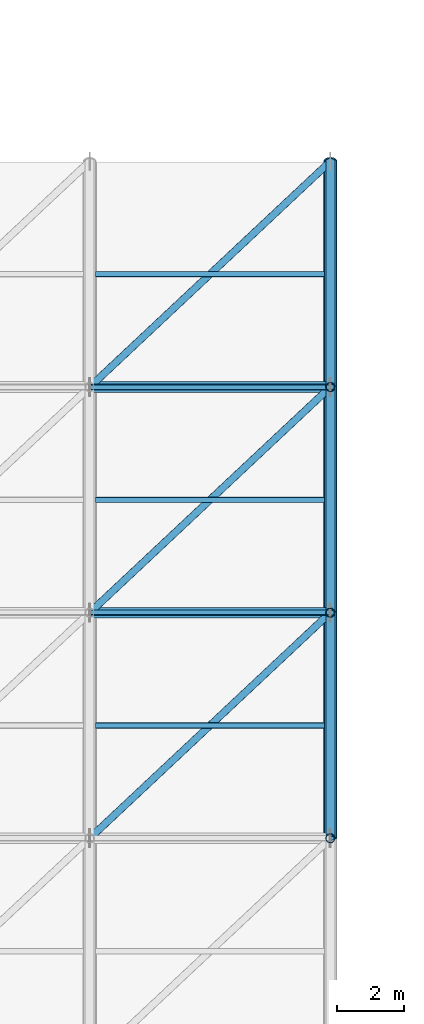
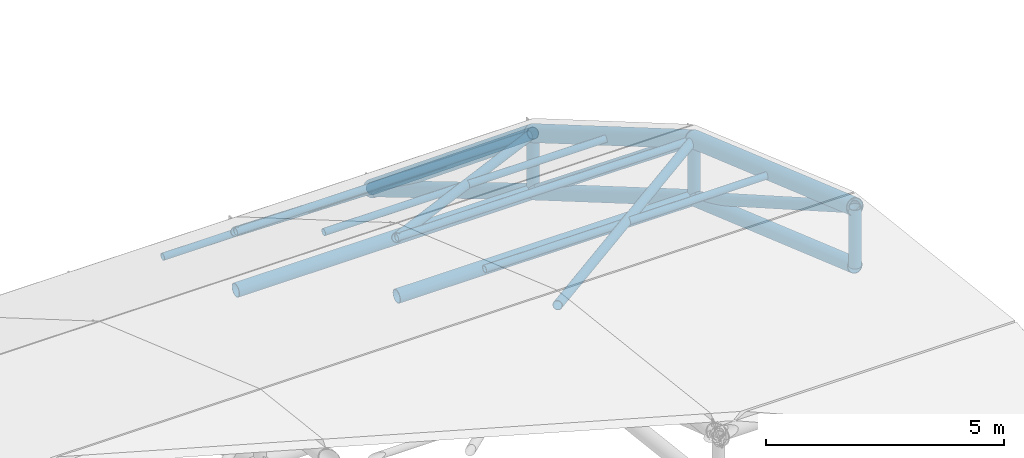
# One storey, part 13 of 72: 19 members, 3 beams.
"""IFC4 building model written with IfcOpenShell, lengths in metres."""

import ifcopenshell
import ifcopenshell.guid

model = None  # the IFC model being written
_history = None  # IfcOwnerHistory: only IFC2X3 demands one
_inside = {}  # id of a spatial element -> (the spatial element, [elements in it])
_under = {}  # id of a project, library or spatial element -> (it, [spatial elements below it])
_declared = {}  # id of a project -> (the project, [libraries it declares])
_typed = {}  # id of a type object -> (the type object, [elements of that type])
_made_of = {}  # id of a material, layer set ... -> (it, [elements and type objects made of it])


def new_model(schema):
    """Start an empty IFC model of exactly this schema.

    Asked for "IFC4X3", IfcOpenShell would pick the latest addendum, in which some entities
    have other attributes; the version numbers below select the first issue.
    IFC2X3 requires an IfcOwnerHistory on every rooted entity: one is made here for all.
    """
    global model, _history
    if schema == "IFC4X3":
        model = ifcopenshell.file(schema_version=(4, 3, 0, 0))
    else:
        model = ifcopenshell.file(schema=schema)
    _inside.clear()
    _under.clear()
    _declared.clear()
    _typed.clear()
    _made_of.clear()
    _history = None
    if model.schema == "IFC2X3":
        org = make("IfcOrganization", Name="unknown")
        user = make(
            "IfcPersonAndOrganization",
            ThePerson=make("IfcPerson", FamilyName="unknown"),
            TheOrganization=org,
        )
        app = make(
            "IfcApplication",
            ApplicationDeveloper=org,
            Version="unknown",
            ApplicationFullName="unknown",
            ApplicationIdentifier="unknown",
        )
        _history = make(
            "IfcOwnerHistory",
            OwningUser=user,
            OwningApplication=app,
            ChangeAction="ADDED",
            CreationDate=0,
        )
    return model


def make(cls, **values):
    """One entity of the class cls with the attributes given. An attribute that is None is left unset."""
    return model.create_entity(
        cls, **{name: value for name, value in values.items() if value is not None}
    )


def rooted(cls, **values):
    """An entity with a GlobalId (a new one), such as an element, a storey or a relation."""
    return make(cls, GlobalId=ifcopenshell.guid.new(), OwnerHistory=_history, **values)


def si_unit(unit_type, name, prefix=None):
    """IfcSIUnit, for example si_unit("LENGTHUNIT", "METRE", prefix="MILLI")."""
    return make("IfcSIUnit", UnitType=unit_type, Prefix=prefix, Name=name)


def assignment(units):
    """IfcUnitAssignment: the units of a project."""
    return None if units is None else make("IfcUnitAssignment", Units=units)


def point(xyz):
    """IfcCartesianPoint."""
    return None if xyz is None else make("IfcCartesianPoint", Coordinates=xyz)


def direction(xyz):
    """IfcDirection."""
    return None if xyz is None else make("IfcDirection", DirectionRatios=xyz)


def frame(location, z_axis=None, x_axis=None):
    """IfcAxis2Placement3D, a coordinate frame: its origin and axes. An axis left out is left unset."""
    return make(
        "IfcAxis2Placement3D",
        Location=point(location),
        Axis=direction(z_axis),
        RefDirection=direction(x_axis),
    )


def frame_2d(location, x_axis=None):
    """IfcAxis2Placement2D, a coordinate frame in the plane: its origin and x axis."""
    return make(
        "IfcAxis2Placement2D", Location=point(location), RefDirection=direction(x_axis)
    )


def origin():
    """The frame at (0, 0, 0) with its axes left unset."""
    return frame((0.0, 0.0, 0.0))


def origin_2d():
    """The frame at (0, 0) in the plane with its x axis left unset."""
    return frame_2d((0.0, 0.0))


def place(relative_to, where):
    """IfcLocalPlacement: puts the frame where relative to a parent placement (None: the world)."""
    return make(
        "IfcLocalPlacement", PlacementRelTo=relative_to, RelativePlacement=where
    )


def context(
    kind, dimensions, precision=None, world=None, true_north=None, identifier=None
):
    """IfcGeometricRepresentationContext, for example the 3D "Model" context."""
    return make(
        "IfcGeometricRepresentationContext",
        ContextIdentifier=identifier,
        ContextType=kind,
        CoordinateSpaceDimension=dimensions,
        Precision=precision,
        WorldCoordinateSystem=world,
        TrueNorth=true_north,
    )


def subcontext(parent, identifier, kind, view, scale=None):
    """IfcGeometricRepresentationSubContext, for example "Body" below "Model"."""
    return make(
        "IfcGeometricRepresentationSubContext",
        ContextIdentifier=identifier,
        ContextType=kind,
        ParentContext=parent,
        TargetScale=scale,
        TargetView=view,
    )


def project(units=None, contexts=None):
    """IfcProject with its units and contexts."""
    return rooted(
        "IfcProject",
        Name="project",
        RepresentationContexts=contexts,
        UnitsInContext=assignment(units),
    )


def spatial(cls, under=None, at=None, **own):
    """A site, building, storey or space (cls), placed at a placement, below another one or the project."""
    s = rooted(cls, ObjectPlacement=at, **own)
    if under is not None:
        _under.setdefault(under.id(), (under, []))[1].append(s)
    return s


def profile(cls, at=None, kind="AREA", **sizes):
    """A parametric profile (cls). Its sizes go by their IFC names, for example OverallWidth=200.0."""
    return make(cls, ProfileType=kind, Position=at, **sizes)


def hollow_circle(**sizes):
    """IfcCircleHollowProfileDef."""
    return profile("IfcCircleHollowProfileDef", **sizes)


def extrude(swept, where, along, depth):
    """IfcExtrudedAreaSolid: the profile swept, set in the frame where, extruded along a direction by depth."""
    return make(
        "IfcExtrudedAreaSolid",
        SweptArea=swept,
        Position=where,
        ExtrudedDirection=direction(along),
        Depth=depth,
    )


def shape(context_of_items, identifier, shape_type, items):
    """IfcShapeRepresentation: the items that make up one representation, for example the "Body"."""
    return make(
        "IfcShapeRepresentation",
        ContextOfItems=context_of_items,
        RepresentationIdentifier=identifier,
        RepresentationType=shape_type,
        Items=items,
    )


def material(Name=None, Category=None):
    """IfcMaterial."""
    return make("IfcMaterial", Name=Name, Category=Category)


def material_profile(
    of_material, cross_section, Name=None, Category=None, Priority=None
):
    """IfcMaterialProfile: a cross section and its material."""
    return make(
        "IfcMaterialProfile",
        Name=Name,
        Material=of_material,
        Profile=cross_section,
        Priority=Priority,
        Category=Category,
    )


def profile_set(profiles, Name=None, composite=None):
    """IfcMaterialProfileSet."""
    return make(
        "IfcMaterialProfileSet",
        Name=Name,
        MaterialProfiles=profiles,
        CompositeProfile=composite,
    )


def made_of(thing, what):
    """Note that an element or type object is made of a material, layer set ...; save() writes the relation."""
    if what is not None:
        _made_of.setdefault(what.id(), (what, []))[1].append(thing)
    return thing


def type_object(cls, material=None, **own):
    """A type object (cls), such as IfcWallType, which elements share."""
    return made_of(rooted(cls, **own), material)


def element(
    cls,
    number,
    at=None,
    inside=None,
    cuts=None,
    type_object=None,
    material=None,
    context=None,
    identifier="Body",
    shape_type=None,
    held_by="IfcProductDefinitionShape",
    body=None,
    shapes=None,
    **own,
):
    """One element of the class cls, such as IfcWall. Its Tag is "e" and its number.

    at: its placement. inside: the storey or other place that contains it. cuts: it is an
    opening in that element (IfcRelVoidsElement). A single representation is given by context,
    identifier, shape_type and body (its items); several are given by shapes. held_by: the class
    of the entity that holds the representations. save() writes the other relations.
    """
    e = rooted(cls, Tag="e%d" % number, ObjectPlacement=at, **own)
    if body is not None:
        shapes = [shape(context, identifier, shape_type, body)]
    if shapes is not None:
        e.Representation = make(held_by, Representations=shapes)
    if inside is not None:
        _inside.setdefault(inside.id(), (inside, []))[1].append(e)
    if cuts is not None:
        rooted(
            "IfcRelVoidsElement", RelatingBuildingElement=cuts, RelatedOpeningElement=e
        )
    if type_object is not None:
        _typed.setdefault(type_object.id(), (type_object, []))[1].append(e)
    return made_of(e, material)


def aggregate(whole, parts):
    """IfcRelAggregates: a whole, such as a stair, and the parts it consists of."""
    return rooted("IfcRelAggregates", RelatingObject=whole, RelatedObjects=parts)


def save(model, path):
    """Write the relations noted so far, then the file.

    IfcRelAggregates (storeys below a building ...), IfcRelContainedInSpatialStructure (elements
    in a storey), IfcRelDefinesByType, IfcRelAssociatesMaterial and IfcRelDeclares: one each for
    every whole, place, type object, material and project.
    """
    for whole, parts in _under.values():
        aggregate(whole, parts)
    for where, things in _inside.values():
        rooted(
            "IfcRelContainedInSpatialStructure",
            RelatedElements=things,
            RelatingStructure=where,
        )
    for kind, things in _typed.values():
        rooted("IfcRelDefinesByType", RelatedObjects=things, RelatingType=kind)
    for what, things in _made_of.values():
        rooted("IfcRelAssociatesMaterial", RelatedObjects=things, RelatingMaterial=what)
    for by, libraries in _declared.values():
        rooted("IfcRelDeclares", RelatingContext=by, RelatedDefinitions=libraries)
    model.write(path)


model = new_model("IFC4")

# Units and contexts
model_context = context("Model", 3, precision=1e-05, world=origin(), true_north=direction((0.0, 1.0)))
body_context = subcontext(model_context, "Body", "Model", "MODEL_VIEW")
ifc_project = project(units=[si_unit("LENGTHUNIT", "METRE"), si_unit("AREAUNIT", "SQUARE_METRE"), si_unit("VOLUMEUNIT", "CUBIC_METRE"), si_unit("PLANEANGLEUNIT", "RADIAN"), si_unit("MASSUNIT", "GRAM", prefix="KILO")], contexts=[model_context])

# Site, building, storey
site_placement = place(None, origin())
site = spatial("IfcSite", under=ifc_project, at=site_placement, CompositionType="ELEMENT")
building_placement = place(site_placement, origin())
building = spatial("IfcBuilding", under=site, at=building_placement, Name="Vaelcorin Mobility Hub", CompositionType="ELEMENT")
storey_placement = place(building_placement, frame((0.0, 0.0, 25.800048828125)))
storey = spatial("IfcBuildingStorey", under=building, at=storey_placement, Name="RF", CompositionType="ELEMENT", Elevation=25.800048828125)

# Members
ifc_material = material(Name="Steel ASTM A500 Grade C", Category="steel")
ifc_material_profile_1 = material_profile(ifc_material, hollow_circle(Radius=0.161865234375, WallThickness=0.0126953125, at=origin_2d()), Name="HSS12.750X0.500")
ifc_profile_set_1 = profile_set([ifc_material_profile_1], Name="Steel ASTM A500 Grade C")
member_type_1 = type_object("IfcMemberType", Name="SF-CHORD-12", PredefinedType="CHORD", material=ifc_profile_set_1)
for number, where, z_axis, x_axis, name in (
    (1, (100.800048828125, 46.5, -11.85009765625), (1.0, 0.0, 0.0), (0.0, 1.0, 0.0), "Space Frame Lower Longitudinal Chord 10-6"),
    (2, (100.800048828125, 53.25, -15.7880859375), (1.0, 0.0, 0.0), (0.0, 1.0, 0.0), "Space Frame Lower Longitudinal Chord 10-7"),
):
    element("IfcMember", number, at=place(storey_placement, frame(where, z_axis=z_axis, x_axis=x_axis)), inside=storey, type_object=member_type_1, Name=name, PredefinedType="CHORD", context=body_context, shape_type="SweptSolid", body=[
        extrude(hollow_circle(Radius=0.161865234375, WallThickness=0.0126953125, at=origin_2d()), origin(), (0.0, 0.0, 1.0), 7.199951171875),
    ])
ifc_material_profile_2 = material_profile(ifc_material, hollow_circle(Radius=0.177734375, WallThickness=0.0126953125, at=origin_2d()), Name="HSS14.000X0.500")
ifc_profile_set_2 = profile_set([ifc_material_profile_2], Name="Steel ASTM A500 Grade C")
member_type_2 = type_object("IfcMemberType", Name="SF-CHORD-14", PredefinedType="CHORD", material=ifc_profile_set_2)
member_1_placement = place(storey_placement, frame((108.0, 39.75, -9.488037109375), z_axis=(0.0, 0.943877515247, -0.330295679977), x_axis=(-1.0, 0.0, 0.0)))
element("IfcMember", 3, at=member_1_placement, inside=storey, type_object=member_type_2, Name="Space Frame Roof Truss Lower Chord 11-6", PredefinedType="CHORD", context=body_context, shape_type="SweptSolid", body=[
    extrude(hollow_circle(Radius=0.177734375, WallThickness=0.0126953125, at=origin_2d()), origin(), (0.0, 0.0, 1.0), 7.1513671875),
])
member_2_placement = place(storey_placement, frame((108.0, 46.5, -11.85009765625), z_axis=(0.0, 0.863751705385, -0.503917643514), x_axis=(-1.0, 0.0, 0.0)))
element("IfcMember", 4, at=member_2_placement, inside=storey, type_object=member_type_2, Name="Space Frame Roof Truss Lower Chord 11-7", PredefinedType="CHORD", context=body_context, shape_type="SweptSolid", body=[
    extrude(hollow_circle(Radius=0.177734375, WallThickness=0.0126953125, at=origin_2d()), origin(), (0.0, 0.0, 1.0), 7.814697265625),
])
member_3_placement = place(storey_placement, frame((108.0, 53.25, -15.7880859375), z_axis=(0.0, 0.859622623593, -0.510929491229), x_axis=(-1.0, 0.0, 0.0)))
element("IfcMember", 5, at=member_3_placement, inside=storey, type_object=member_type_2, Name="Space Frame Roof Truss Lower Chord 11-8", PredefinedType="CHORD", context=body_context, shape_type="SweptSolid", body=[
    extrude(hollow_circle(Radius=0.177734375, WallThickness=0.0126953125, at=origin_2d()), origin(), (0.0, 0.0, 1.0), 7.852294921875),
])
ifc_material_profile_3 = material_profile(ifc_material, hollow_circle(Radius=0.136474609375, WallThickness=0.0126953125, at=origin_2d()), Name="HSS10.750X0.500")
ifc_profile_set_3 = profile_set([ifc_material_profile_3], Name="Steel ASTM A500 Grade C")
member_type_3 = type_object("IfcMemberType", Name="SF-DIAG-10", PredefinedType="BRACE", material=ifc_profile_set_3)
member_4_placement = place(storey_placement, frame((108.0, 39.75, -7.988037109375), z_axis=(0.0, 0.867970611296, -0.496615563516), x_axis=(-1.0, 0.0, 0.0)))
element("IfcMember", 6, at=member_4_placement, inside=storey, type_object=member_type_3, Name="Space Frame Roof Truss Web Diagonal 11-6", PredefinedType="BRACE", context=body_context, shape_type="SweptSolid", body=[
    extrude(hollow_circle(Radius=0.136474609375, WallThickness=0.0126953125, at=origin_2d()), origin(), (0.0, 0.0, 1.0), 7.77685546875),
])
member_5_placement = place(storey_placement, frame((108.0, 46.5, -10.35009765625), z_axis=(0.0, 0.778726388415, -0.627363699926), x_axis=(-1.0, 0.0, 0.0)))
element("IfcMember", 7, at=member_5_placement, inside=storey, type_object=member_type_3, Name="Space Frame Roof Truss Web Diagonal 11-7", PredefinedType="BRACE", context=body_context, shape_type="SweptSolid", body=[
    extrude(hollow_circle(Radius=0.136474609375, WallThickness=0.0126953125, at=origin_2d()), origin(), (0.0, 0.0, 1.0), 8.66796875),
])
member_6_placement = place(storey_placement, frame((108.0, 53.25, -14.2880859375), z_axis=(0.0, 0.774562321982, -0.632497596332), x_axis=(-1.0, 0.0, 0.0)))
element("IfcMember", 8, at=member_6_placement, inside=storey, type_object=member_type_3, Name="Space Frame Roof Truss Web Diagonal 11-8", PredefinedType="BRACE", context=body_context, shape_type="SweptSolid", body=[
    extrude(hollow_circle(Radius=0.136474609375, WallThickness=0.0126953125, at=origin_2d()), origin(), (0.0, 0.0, 1.0), 8.714599609375),
])
ifc_material_profile_4 = material_profile(ifc_material, hollow_circle(Radius=0.109619140625, WallThickness=0.009521484375, at=origin_2d()), Name="HSS8.625X0.375")
ifc_profile_set_4 = profile_set([ifc_material_profile_4], Name="Steel ASTM A500 Grade C")
member_type_4 = type_object("IfcMemberType", Name="SF-DIAG-8", PredefinedType="BRACE", material=ifc_profile_set_4)
member_7_placement = place(storey_placement, frame((100.800048828125, 39.75, -7.988037109375), z_axis=(0.709497274068, 0.665158205331, -0.232762067295), x_axis=(-0.683943597489, 0.729534889813, 0.0)))
element("IfcMember", 9, at=member_7_placement, inside=storey, type_object=member_type_4, Name="Space Frame Bracing Diagonal 10-6", PredefinedType="BRACE", context=body_context, shape_type="SweptSolid", body=[
    extrude(hollow_circle(Radius=0.109619140625, WallThickness=0.009521484375, at=origin_2d()), origin(), (0.0, 0.0, 1.0), 10.14794921875),
])
member_8_placement = place(storey_placement, frame((100.800048828125, 46.5, -10.35009765625), z_axis=(0.677585674596, 0.635240877937, -0.370603130828), x_axis=(-0.683943597489, 0.729534889813, 0.0)))
element("IfcMember", 10, at=member_8_placement, inside=storey, type_object=member_type_4, Name="Space Frame Bracing Diagonal 10-7", PredefinedType="BRACE", context=body_context, shape_type="SweptSolid", body=[
    extrude(hollow_circle(Radius=0.109619140625, WallThickness=0.009521484375, at=origin_2d()), origin(), (0.0, 0.0, 1.0), 10.6259765625),
])
member_9_placement = place(storey_placement, frame((100.800048828125, 53.25, -14.2880859375), z_axis=(0.636930590236, 0.59712647787, -0.487605775856), x_axis=(-0.683943597489, 0.729534889813, 0.0)))
element("IfcMember", 11, at=member_9_placement, inside=storey, type_object=member_type_4, Name="Space Frame Bracing Diagonal 10-8", PredefinedType="BRACE", context=body_context, shape_type="SweptSolid", body=[
    extrude(hollow_circle(Radius=0.109619140625, WallThickness=0.009521484375, at=origin_2d()), origin(), (0.0, 0.0, 1.0), 11.30419921875),
])
ifc_material_profile_5 = material_profile(ifc_material, hollow_circle(Radius=0.136474609375, WallThickness=0.0126953125, at=origin_2d()), Name="HSS10.750X0.500")
ifc_profile_set_5 = profile_set([ifc_material_profile_5], Name="Steel ASTM A500 Grade C")
member_type_5 = type_object("IfcMemberType", Name="SF-POST-10", PredefinedType="POST", material=ifc_profile_set_5)
for number, where, z_axis, x_axis, name in (
    (12, (108.0, 39.75, -9.488037109375), (0.0, 0.0, 1.0), (1.0, 0.0, 0.0), "Space Frame Roof Truss Post 11-5"),
    (13, (108.0, 46.5, -11.85009765625), (0.0, 0.0, 1.0), (1.0, 0.0, 0.0), "Space Frame Roof Truss Post 11-6"),
    (14, (108.0, 53.25, -15.7880859375), (0.0, 0.0, 1.0), (1.0, 0.0, 0.0), "Space Frame Roof Truss Post 11-7"),
):
    element("IfcMember", number, at=place(storey_placement, frame(where, z_axis=z_axis, x_axis=x_axis)), inside=storey, type_object=member_type_5, Name=name, PredefinedType="POST", context=body_context, shape_type="SweptSolid", body=[
        extrude(hollow_circle(Radius=0.136474609375, WallThickness=0.0126953125, at=origin_2d()), origin(), (0.0, 0.0, 1.0), 1.5),
    ])
ifc_material_profile_6 = material_profile(ifc_material, hollow_circle(Radius=0.084228515625, WallThickness=0.0078125, at=origin_2d()), Name="HSS6.625X0.312")
ifc_profile_set_6 = profile_set([ifc_material_profile_6], Name="Steel ASTM A500 Grade C")
member_type_6 = type_object("IfcMemberType", Name="SF-PURL-6", PredefinedType="PURLIN", material=ifc_profile_set_6)
for number, where, z_axis, x_axis, name in (
    (15, (100.800048828125, 46.5, -10.35009765625), (1.0, 0.0, 0.0), (0.0, 1.0, 0.0), "Space Frame Longitudinal Chord 10-6"),
    (16, (100.800048828125, 53.25, -14.2880859375), (1.0, 0.0, 0.0), (0.0, 1.0, 0.0), "Space Frame Longitudinal Chord 10-7"),
):
    element("IfcMember", number, at=place(storey_placement, frame(where, z_axis=z_axis, x_axis=x_axis)), inside=storey, type_object=member_type_6, Name=name, PredefinedType="PURLIN", context=body_context, shape_type="SweptSolid", body=[
        extrude(hollow_circle(Radius=0.084228515625, WallThickness=0.0078125, at=origin_2d()), origin(), (0.0, 0.0, 1.0), 7.199951171875),
    ])
for number, where, z_axis, x_axis, name in (
    (17, (100.97998046875, 43.125, -9.1689453125), (1.0, 0.0, 0.0), (0.0, 1.0, 0.0), "Space Frame Secondary Purlin 10-6"),
    (18, (100.97998046875, 49.875, -12.319091796875), (1.0, 0.0, 0.0), (0.0, 1.0, 0.0), "Space Frame Secondary Purlin 10-7"),
    (19, (100.97998046875, 56.625, -17.0439453125), (1.0, 0.0, 0.0), (0.0, 1.0, 0.0), "Space Frame Secondary Purlin 10-8"),
):
    element("IfcMember", number, at=place(storey_placement, frame(where, z_axis=z_axis, x_axis=x_axis)), inside=storey, type_object=member_type_6, Name=name, PredefinedType="PURLIN", context=body_context, shape_type="SweptSolid", body=[
        extrude(hollow_circle(Radius=0.084228515625, WallThickness=0.0078125, at=origin_2d()), origin(), (0.0, 0.0, 1.0), 6.840087890625),
    ])

# Beams
ifc_material_profile_7 = material_profile(ifc_material, hollow_circle(Radius=0.203125, WallThickness=0.015869140625, at=origin_2d()), Name="HSS16.000X0.625")
ifc_profile_set_7 = profile_set([ifc_material_profile_7], Name="Steel ASTM A500 Grade C")
beam_type = type_object("IfcBeamType", Name="TR-CHORD-16", PredefinedType="BEAM", material=ifc_profile_set_7)
beam_1_placement = place(storey_placement, frame((108.0, 39.75, -7.988037109375), z_axis=(0.0, 0.943877515247, -0.330295679977), x_axis=(-1.0, 0.0, 0.0)))
element("IfcBeam", 20, at=beam_1_placement, inside=storey, type_object=beam_type, Name="Space Frame Roof Truss Upper Chord 11-6", PredefinedType="BEAM", context=body_context, shape_type="SweptSolid", body=[
    extrude(hollow_circle(Radius=0.203125, WallThickness=0.015869140625, at=origin_2d()), origin(), (0.0, 0.0, 1.0), 7.1513671875),
])
beam_2_placement = place(storey_placement, frame((108.0, 46.5, -10.35009765625), z_axis=(0.0, 0.863751705385, -0.503917643514), x_axis=(-1.0, 0.0, 0.0)))
element("IfcBeam", 21, at=beam_2_placement, inside=storey, type_object=beam_type, Name="Space Frame Roof Truss Upper Chord 11-7", PredefinedType="BEAM", context=body_context, shape_type="SweptSolid", body=[
    extrude(hollow_circle(Radius=0.203125, WallThickness=0.015869140625, at=origin_2d()), origin(), (0.0, 0.0, 1.0), 7.814697265625),
])
beam_3_placement = place(storey_placement, frame((108.0, 53.25, -14.2880859375), z_axis=(0.0, 0.774562321982, -0.632497596332), x_axis=(-1.0, 0.0, 0.0)))
element("IfcBeam", 22, at=beam_3_placement, inside=storey, type_object=beam_type, Name="Space Frame Roof Truss Upper Chord 11-8", PredefinedType="BEAM", context=body_context, shape_type="SweptSolid", body=[
    extrude(hollow_circle(Radius=0.203125, WallThickness=0.015869140625, at=origin_2d()), origin(), (0.0, 0.0, 1.0), 8.714599609375),
])

save(model, "model.ifc")
